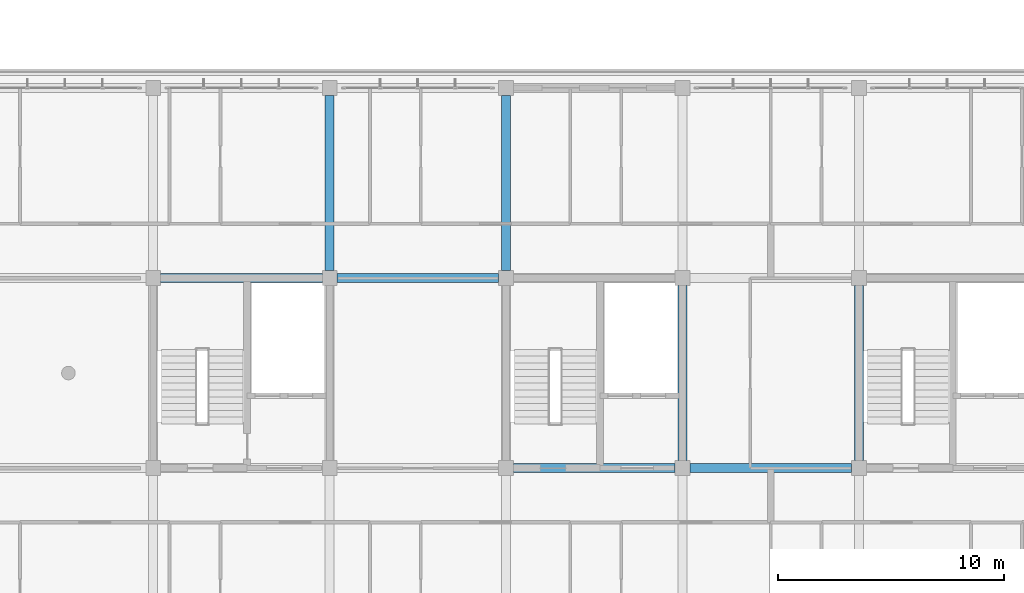
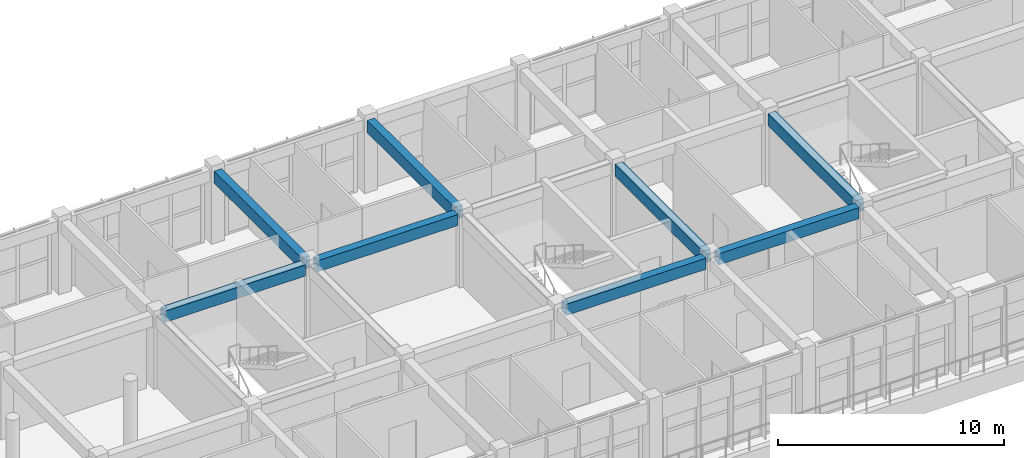
# One storey, part 16 of 57: 8 beams.
"""IFC4 building model written with IfcOpenShell, lengths in metres."""

from ifc_helpers import new_model, si_unit, direction, frame, origin, origin_2d, place, context, subcontext, project, spatial, rectangle, extrude, material, material_profile, profile_set, type_object, element, save


model = new_model("IFC4")

# Units and contexts
model_context = context("Model", 3, precision=1e-05, world=origin(), true_north=direction((0.0, 1.0)))
body_context = subcontext(model_context, "Body", "Model", "MODEL_VIEW")
ifc_project = project(units=[si_unit("LENGTHUNIT", "METRE"), si_unit("AREAUNIT", "SQUARE_METRE"), si_unit("VOLUMEUNIT", "CUBIC_METRE"), si_unit("PLANEANGLEUNIT", "RADIAN"), si_unit("MASSUNIT", "GRAM", prefix="KILO")], contexts=[model_context])

# Site, building, storey
site_placement = place(None, origin())
site = spatial("IfcSite", under=ifc_project, at=site_placement, CompositionType="ELEMENT")
building_placement = place(site_placement, origin())
building = spatial("IfcBuilding", under=site, at=building_placement, Name="Zizhar Promenade General Hospital", CompositionType="ELEMENT")
storey_placement = place(building_placement, frame((0.0, 0.0, 22.199951171875)))
storey = spatial("IfcBuildingStorey", under=building, at=storey_placement, Name="L05", CompositionType="ELEMENT", Elevation=22.199951171875)

# Beams
ifc_material_1 = material(Name="Concrete C35/45", Category="concrete")
ifc_material_profile_1 = material_profile(ifc_material_1, rectangle(XDim=0.39990234375, YDim=0.60009765625, at=origin_2d()))
ifc_profile_set_1 = profile_set([ifc_material_profile_1], Name="Concrete C35/45")
beam_type_1 = type_object("IfcBeamType", Name="BM-RC-400x600", PredefinedType="JOIST", material=ifc_profile_set_1)
for number, where, z_axis, x_axis, name in (
    (1, (47.125, 16.800048828125, 3.610107421875), (1.0, 0.0, 0.0), (0.0, 1.0, 0.0), "Grid Beam X L05 (6-2)"),
    (2, (54.925048828125, 16.800048828125, 3.610107421875), (1.0, 0.0, 0.0), (0.0, 1.0, 0.0), "Grid Beam X L05 (7-2)"),
    (3, (62.72509765625, 8.39990234375, 3.610107421875), (1.0, 0.0, 0.0), (0.0, 1.0, 0.0), "Grid Beam X L05 (8-1)"),
):
    element("IfcBeam", number, at=place(storey_placement, frame(where, z_axis=z_axis, x_axis=x_axis)), inside=storey, type_object=beam_type_1, Name=name, PredefinedType="JOIST", context=body_context, shape_type="SweptSolid", body=[
        extrude(rectangle(XDim=0.39990234375, YDim=0.60009765625, at=origin_2d()), origin(), (0.0, 0.0, 1.0), 7.14990234375),
    ])
beam_placement = place(storey_placement, frame((70.52490234375, 8.39990234375, 3.610107421875), z_axis=(1.0, 0.0, 0.0), x_axis=(0.0, 1.0, 0.0)))
element("IfcBeam", 4, at=beam_placement, inside=storey, type_object=beam_type_1, Name="Grid Beam X L05 (9-1)", PredefinedType="JOIST", context=body_context, shape_type="SweptSolid", body=[
    extrude(rectangle(XDim=0.39990234375, YDim=0.60009765625, at=origin_2d()), origin(), (0.0, 0.0, 1.0), 7.150146484375),
])
ifc_material_2 = material(Name="Concrete C35/45", Category="concrete")
ifc_material_profile_2 = material_profile(ifc_material_2, rectangle(XDim=0.39990234375, YDim=0.64990234375, at=origin_2d()))
ifc_profile_set_2 = profile_set([ifc_material_profile_2], Name="Concrete C35/45")
beam_type_2 = type_object("IfcBeamType", Name="BM-RC-400x650", PredefinedType="BEAM", material=ifc_profile_set_2)
for number, where, z_axis, x_axis, name in (
    (5, (54.60009765625, 17.125, 3.5849609375), (0.0, 1.0, 0.0), (-1.0, 0.0, 0.0), "Grid Beam Y L05 (7-2)"),
    (6, (62.39990234375, 17.125, 3.5849609375), (0.0, 1.0, 0.0), (-1.0, 0.0, 0.0), "Grid Beam Y L05 (8-2)"),
    (7, (70.199951171875, 8.72509765625, 3.5849609375), (0.0, 1.0, 0.0), (-1.0, 0.0, 0.0), "Grid Beam Y L05 (9-1)"),
    (8, (78.0, 8.72509765625, 3.5849609375), (0.0, 1.0, 0.0), (-1.0, 0.0, 0.0), "Grid Beam Y L05 (10-1)"),
):
    element("IfcBeam", number, at=place(storey_placement, frame(where, z_axis=z_axis, x_axis=x_axis)), inside=storey, type_object=beam_type_2, Name=name, PredefinedType="BEAM", context=body_context, shape_type="SweptSolid", body=[
        extrude(rectangle(XDim=0.39990234375, YDim=0.64990234375, at=origin_2d()), origin(), (0.0, 0.0, 1.0), 7.75),
    ])

save(model, "model.ifc")
